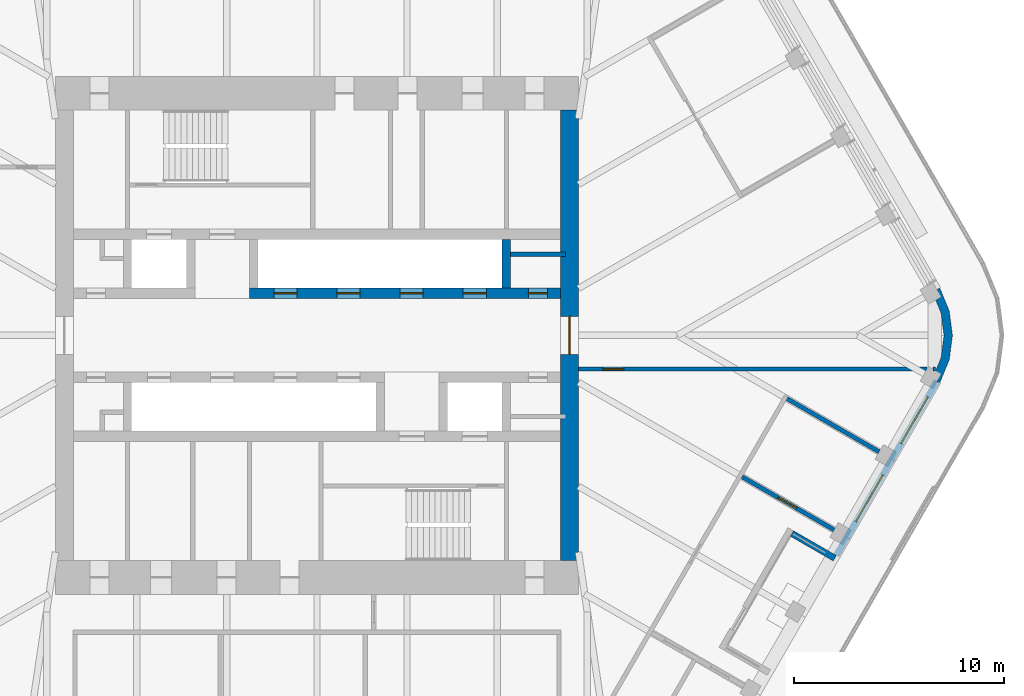
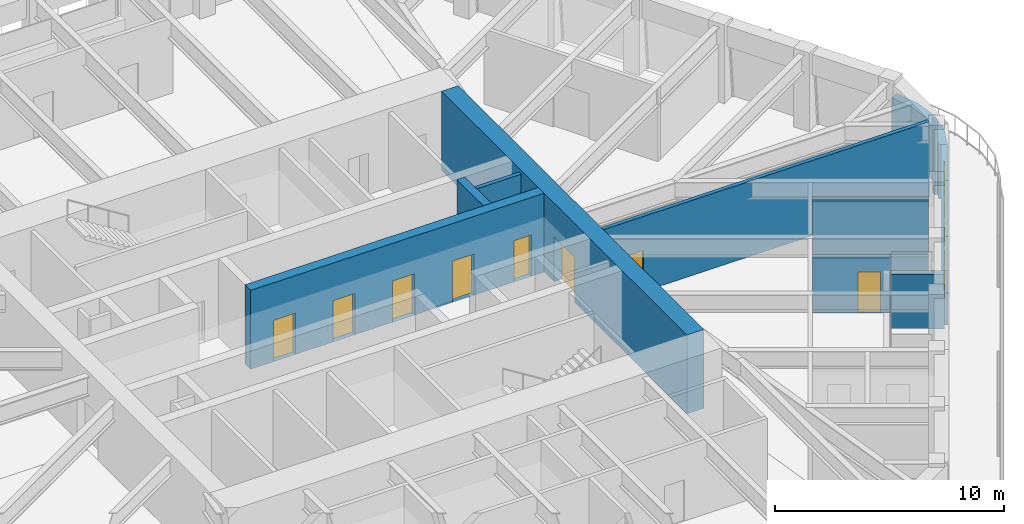
# One storey, part 15 of 20: 11 walls, 8 doors, 2 windows, 10 openings.
"""IFC4 building model written with IfcOpenShell, lengths in metres."""

from ifc_helpers import new_model, si_unit, direction, frame, frame_2d, origin, place, context, subcontext, project, spatial, polyline, rectangle, outline, extrude, material, layer, layer_set, type_object, element, fill, save


model = new_model("IFC4")

# Units and contexts
model_context = context("Model", 3, precision=1e-05, world=origin(), true_north=direction((0.0, 1.0)))
body_context = subcontext(model_context, "Body", "Model", "MODEL_VIEW")
ifc_project = project(units=[si_unit("LENGTHUNIT", "METRE"), si_unit("AREAUNIT", "SQUARE_METRE"), si_unit("VOLUMEUNIT", "CUBIC_METRE"), si_unit("PLANEANGLEUNIT", "RADIAN"), si_unit("MASSUNIT", "GRAM", prefix="KILO")], contexts=[model_context])

# Site, building, storey
site_placement = place(None, origin())
site = spatial("IfcSite", under=ifc_project, at=site_placement, CompositionType="ELEMENT")
building_placement = place(site_placement, origin())
building = spatial("IfcBuilding", under=site, at=building_placement, Name="Tarfa Lantern Tower", CompositionType="ELEMENT")
storey_placement = place(building_placement, frame((0.0, 0.0, 382.89990234375)))
storey = spatial("IfcBuildingStorey", under=building, at=storey_placement, Name="L87", CompositionType="ELEMENT", Elevation=382.89990234375)

# Wall, openings, windows
ifc_material_1 = material(Name="Limestone cladding on blockwork", Category="masonry")
ifc_layer_1 = layer(ifc_material_1, 0.300048828125)
ifc_layer_set_1 = layer_set([ifc_layer_1], Name="EW1 STONE-CLAD WALL 300")
wall_type_1 = type_object("IfcWallType", Name="EW1 STONE-CLAD WALL 300", PredefinedType="SOLIDWALL", material=ifc_layer_set_1)
wall_1_placement = place(storey_placement, frame((24.67724609375, -10.457763671875, 0.0), z_axis=(0.0, 0.0, 1.0), x_axis=(0.499996453679, 0.866027451244, 0.0)))
wall_1 = element("IfcWall", 1, at=wall_1_placement, inside=storey, type_object=wall_type_1, Name="Stone wall SEB", PredefinedType="SOLIDWALL", context=body_context, shape_type="SweptSolid", body=[
    extrude(rectangle(XDim=9.56396484375, YDim=0.300048828125, at=frame_2d((4.781982421875, 0.0))), origin(), (0.0, 0.0, 1.0), 2.900146484375),
])
opening_1_placement = place(wall_1_placement, frame((1.865966796875, 0.0, 0.60009765625)))
opening_1 = element("IfcOpeningElement", 2, at=opening_1_placement, cuts=wall_1, Name="Opening W17", PredefinedType="OPENING", context=body_context, shape_type="SweptSolid", body=[
    extrude(rectangle(XDim=2.550048828125, YDim=2.050048828125, at=frame_2d((1.27490234375, 1.02490234375))), frame((0.0, 0.159912109375, 0.0), z_axis=(0.0, -1.0, 0.0), x_axis=(1.0, 0.0, 0.0)), (0.0, 0.0, 1.0), 0.320068359375),
])
opening_2_placement = place(wall_1_placement, frame((6.14794921875, 0.0, 0.60009765625)))
opening_2 = element("IfcOpeningElement", 3, at=opening_2_placement, cuts=wall_1, Name="Opening W17", PredefinedType="OPENING", context=body_context, shape_type="SweptSolid", body=[
    extrude(rectangle(XDim=2.550048828125, YDim=2.050048828125, at=frame_2d((1.27490234375, 1.02490234375))), frame((0.0, 0.159912109375, 0.0), z_axis=(0.0, -1.0, 0.0), x_axis=(1.0, 0.0, 0.0)), (0.0, 0.0, 1.0), 0.320068359375),
])
ifc_material_2 = material(Name="Aluminium frame, double glazed", Category="aluminium")
window_type = type_object("IfcWindowType", Name="W17 FULL-HEIGHT GLAZING 2550x2050", PartitioningType="SINGLE_PANEL", PredefinedType="WINDOW", material=ifc_material_2)
window_1_placement = place(opening_1_placement, origin())
window_1 = element("IfcWindow", 4, at=window_1_placement, inside=storey, type_object=window_type, Name="Window SEB 1", OverallHeight=2.050048828125, OverallWidth=2.550048828125, PartitioningType="SINGLE_PANEL", PredefinedType="WINDOW", context=body_context, shape_type="SweptSolid", body=[
    extrude(rectangle(XDim=2.550048828125, YDim=2.050048828125, at=frame_2d((1.27490234375, 1.02490234375))), frame((0.0, 0.030029296875, 0.0), z_axis=(0.0, -1.0, 0.0), x_axis=(1.0, 0.0, 0.0)), (0.0, 0.0, 1.0), 0.06005859375),
])
fill(opening_1, window_1)
window_2_placement = place(opening_2_placement, origin())
window_2 = element("IfcWindow", 5, at=window_2_placement, inside=storey, type_object=window_type, Name="Window SEB 2", OverallHeight=2.050048828125, OverallWidth=2.550048828125, PartitioningType="SINGLE_PANEL", PredefinedType="WINDOW", context=body_context, shape_type="SweptSolid", body=[
    extrude(rectangle(XDim=2.550048828125, YDim=2.050048828125, at=frame_2d((1.27490234375, 1.02490234375))), frame((0.0, 0.030029296875, 0.0), z_axis=(0.0, -1.0, 0.0), x_axis=(1.0, 0.0, 0.0)), (0.0, 0.0, 1.0), 0.06005859375),
])
fill(opening_2, window_2)

# Walls
wall_2_placement = place(storey_placement, frame((24.602294921875, -10.587646484375, 0.0), z_axis=(0.0, 0.0, 1.0), x_axis=(-0.866016039709, 0.500016218704, 0.0)))
element("IfcWall", 6, at=wall_2_placement, inside=storey, type_object=wall_type_1, Name="Terrace return SE 2", PredefinedType="SOLIDWALL", context=body_context, shape_type="SweptSolid", body=[
    extrude(rectangle(XDim=2.35009765625, YDim=0.300048828125, at=frame_2d((1.175048828125, 0.0))), origin(), (0.0, 0.0, 1.0), 2.900146484375),
])
ifc_layer_2 = layer(ifc_material_1, 0.39990234375)
ifc_layer_set_2 = layer_set([ifc_layer_2], Name="EW2 CURVED STONE CORNER 400")
wall_type_2 = type_object("IfcWallType", Name="EW2 CURVED STONE CORNER 400", PredefinedType="SOLIDWALL", material=ifc_layer_set_2)
wall_3_placement = place(storey_placement, origin())
element("IfcWall", 7, at=wall_3_placement, inside=storey, type_object=wall_type_2, Name="Stone corner SE-NE", PredefinedType="SOLIDWALL", context=body_context, shape_type="SweptSolid", body=[
    extrude(outline(polyline([(29.589111328125, -2.25), (30.038818359375, -1.164794921875), (30.192138671875, 0.0), (30.038818359375, 1.164794921875), (29.589111328125, 2.25), (29.24267578125, 2.050048828125), (29.65234375, 1.061279296875), (29.7919921875, 0.0), (29.65234375, -1.061279296875), (29.24267578125, -2.050048828125), (29.589111328125, -2.25)])), origin(), (0.0, 0.0, 1.0), 2.900146484375),
])
ifc_material_3 = material(Name="Concrete blockwork", Category="masonry")
ifc_layer_3 = layer(ifc_material_3, 0.199951171875)
ifc_layer_set_3 = layer_set([ifc_layer_3], Name="IW1 BLOCKWORK PARTITION 200 EI 120")
wall_type_3 = type_object("IfcWallType", Name="IW1 BLOCKWORK PARTITION 200 EI 120", PredefinedType="PARTITIONING", material=ifc_layer_set_3)
wall_4_placement = place(storey_placement, frame((9.199951171875, 3.85009765625, 0.0), z_axis=(0.0, 0.0, 1.0), x_axis=(1.0, 0.0, 0.0)))
element("IfcWall", 8, at=wall_4_placement, inside=storey, type_object=wall_type_3, Name="Core partition", PredefinedType="PARTITIONING", context=body_context, shape_type="SweptSolid", body=[
    extrude(rectangle(XDim=2.60009765625, YDim=0.199951171875, at=frame_2d((1.300048828125, 0.0))), origin(), (0.0, 0.0, 1.0), 4.0),
])

# Wall, opening, door
ifc_material_4 = material(Name="Gypsum board on steel studs", Category="steel")
ifc_layer_4 = layer(ifc_material_4, 0.2099609375)
ifc_layer_set_4 = layer_set([ifc_layer_4], Name="IW2 ACOUSTIC PARTITION 200")
wall_type_4 = type_object("IfcWallType", Name="IW2 ACOUSTIC PARTITION 200", PredefinedType="PARTITIONING", material=ifc_layer_set_4)
wall_5_placement = place(storey_placement, frame((20.19775390625, -6.716552734375, 0.0), z_axis=(0.0, 0.0, 1.0), x_axis=(0.866006046928, -0.500033525561, 0.0)))
wall_5 = element("IfcWall", 9, at=wall_5_placement, inside=storey, type_object=wall_type_4, Name="Partition", PredefinedType="PARTITIONING", context=body_context, shape_type="SweptSolid", body=[
    extrude(rectangle(XDim=5.050048828125, YDim=0.199951171875, at=frame_2d((2.52490234375, 0.0))), origin(), (0.0, 0.0, 1.0), 2.991943359375),
])
opening_3_placement = place(wall_5_placement, frame((1.97509765625, 0.0, 0.0)))
opening_3 = element("IfcOpeningElement", 10, at=opening_3_placement, cuts=wall_5, Name="Opening D25", PredefinedType="OPENING", context=body_context, shape_type="SweptSolid", body=[
    extrude(rectangle(XDim=1.0, YDim=2.199951171875, at=frame_2d((0.5, 1.10009765625))), frame((0.0, 0.10986328125, 0.0), z_axis=(0.0, -1.0, 0.0), x_axis=(1.0, 0.0, 0.0)), (0.0, 0.0, 1.0), 0.219970703125),
])
ifc_material_5 = material(Name="Timber door", Category="wood")
door_type_1 = type_object("IfcDoorType", Name="DR1 ROOM DOOR 1000x2200", OperationType="SINGLE_SWING_LEFT", PredefinedType="DOOR", material=ifc_material_5)
door_1_placement = place(opening_3_placement, origin())
door_1 = element("IfcDoor", 11, at=door_1_placement, inside=storey, type_object=door_type_1, Name="Executive office door", OperationType="SINGLE_SWING_RIGHT", OverallHeight=2.199951171875, OverallWidth=1.0, PredefinedType="DOOR", context=body_context, shape_type="SweptSolid", body=[
    extrude(rectangle(XDim=1.0, YDim=2.199951171875, at=frame_2d((0.5, 1.10009765625))), frame((0.0, 0.02490234375, 0.0), z_axis=(0.0, -1.0, 0.0), x_axis=(1.0, 0.0, 0.0)), (0.0, 0.0, 1.0), 0.050048828125),
])
fill(opening_3, door_1)

# Wall
wall_6_placement = place(storey_placement, frame((22.338623046875, -3.00830078125, 0.0), z_axis=(0.0, 0.0, 1.0), x_axis=(0.866018134068, -0.500012591307, 0.0)))
element("IfcWall", 12, at=wall_6_placement, inside=storey, type_object=wall_type_4, Name="Partition", PredefinedType="PARTITIONING", context=body_context, shape_type="SweptSolid", body=[
    extrude(rectangle(XDim=5.050048828125, YDim=0.199951171875, at=frame_2d((2.52490234375, 0.0))), origin(), (0.0, 0.0, 1.0), 3.081787109375),
])

# Wall, opening, door
wall_7_placement = place(storey_placement, frame((12.425048828125, -1.60009765625, 0.0), z_axis=(0.0, 0.0, 1.0), x_axis=(1.0, 0.0, 0.0)))
wall_7 = element("IfcWall", 13, at=wall_7_placement, inside=storey, type_object=wall_type_4, Name="Partition", PredefinedType="PARTITIONING", context=body_context, shape_type="SweptSolid", body=[
    extrude(rectangle(XDim=16.557861328125, YDim=0.199951171875, at=frame_2d((8.27880859375, 0.0))), origin(), (0.0, 0.0, 1.0), 4.0),
])
opening_4_placement = place(wall_7_placement, frame((1.15576171875, 0.0, 0.0)))
opening_4 = element("IfcOpeningElement", 14, at=opening_4_placement, cuts=wall_7, Name="Opening D36", PredefinedType="OPENING", context=body_context, shape_type="SweptSolid", body=[
    extrude(rectangle(XDim=1.0, YDim=2.199951171875, at=frame_2d((0.5, 1.10009765625))), frame((0.0, 0.10986328125, 0.0), z_axis=(0.0, -1.0, 0.0), x_axis=(1.0, 0.0, 0.0)), (0.0, 0.0, 1.0), 0.219970703125),
])
door_2_placement = place(opening_4_placement, frame((1.0, 0.0, 0.0), z_axis=(0.0, 0.0, 1.0), x_axis=(-1.0, 0.0, 0.0)))
door_2 = element("IfcDoor", 15, at=door_2_placement, inside=storey, type_object=door_type_1, Name="Zone door", OperationType="SINGLE_SWING_LEFT", OverallHeight=2.199951171875, OverallWidth=1.0, PredefinedType="DOOR", context=body_context, shape_type="SweptSolid", body=[
    extrude(rectangle(XDim=1.0, YDim=2.199951171875, at=frame_2d((0.5, 1.10009765625))), frame((0.0, 0.02490234375, 0.0), z_axis=(0.0, -1.0, 0.0), x_axis=(1.0, 0.0, 0.0)), (0.0, 0.0, 1.0), 0.050048828125),
])
fill(opening_4, door_2)

# Wall
wall_8_placement = place(storey_placement, frame((29.263427734375, -1.60009765625, 0.0), z_axis=(0.0, 0.0, 1.0), x_axis=(1.0, 0.0, 0.0)))
element("IfcWall", 16, at=wall_8_placement, inside=storey, type_object=wall_type_4, Name="Partition", PredefinedType="PARTITIONING", context=body_context, shape_type="SweptSolid", body=[
    extrude(rectangle(XDim=0.12451171875, YDim=0.199951171875, at=frame_2d((0.062255859375, 0.0))), origin(), (0.0, 0.0, 1.0), 4.0),
])

# Wall, opening, door
ifc_material_6 = material(Name="Concrete C80/95", Category="concrete")
ifc_layer_5 = layer(ifc_material_6, 0.85009765625)
ifc_layer_set_5 = layer_set([ifc_layer_5], Name="SW3 CORE WALL 850")
wall_type_5 = type_object("IfcWallType", Name="SW3 CORE WALL 850", PredefinedType="SHEAR", material=ifc_layer_set_5)
wall_9_placement = place(storey_placement, frame((12.0, -10.699951171875, 0.0), z_axis=(0.0, 0.0, 1.0), x_axis=(0.0, 1.0, 0.0)))
wall_9 = element("IfcWall", 17, at=wall_9_placement, inside=storey, type_object=wall_type_5, Name="Core wall E", PredefinedType="SHEAR", context=body_context, shape_type="SweptSolid", body=[
    extrude(rectangle(XDim=21.39990234375, YDim=0.85009765625, at=frame_2d((10.699951171875, 0.0))), origin(), (0.0, 0.0, 1.0), 4.2001953125),
])
opening_5_placement = place(wall_9_placement, frame((9.800048828125, 0.0, 0.0)))
opening_5 = element("IfcOpeningElement", 18, at=opening_5_placement, cuts=wall_9, Name="Opening D07", PredefinedType="OPENING", context=body_context, shape_type="SweptSolid", body=[
    extrude(rectangle(XDim=1.800048828125, YDim=2.39990234375, at=frame_2d((0.89990234375, 1.199951171875))), frame((0.0, 0.43505859375, 0.0), z_axis=(0.0, -1.0, 0.0), x_axis=(1.0, 0.0, 0.0)), (0.0, 0.0, 1.0), 0.8701171875),
])
ifc_material_7 = material(Name="Steel fire door", Category="steel")
door_type_2 = type_object("IfcDoorType", Name="DL1 LOBBY DOOR 1800x2400", OperationType="DOUBLE_DOOR_SINGLE_SWING", PredefinedType="DOOR", material=ifc_material_7)
door_3_placement = place(opening_5_placement, frame((1.800048828125, 0.0, 0.0), z_axis=(0.0, 0.0, 1.0), x_axis=(-1.0, 0.0, 0.0)))
door_3 = element("IfcDoor", 19, at=door_3_placement, inside=storey, type_object=door_type_2, Name="Lift lobby door", OperationType="DOUBLE_DOOR_SINGLE_SWING", OverallHeight=2.39990234375, OverallWidth=1.800048828125, PredefinedType="DOOR", context=body_context, shape_type="SweptSolid", body=[
    extrude(rectangle(XDim=1.800048828125, YDim=2.39990234375, at=frame_2d((0.89990234375, 1.199951171875))), frame((0.0, 0.02490234375, 0.0), z_axis=(0.0, -1.0, 0.0), x_axis=(1.0, 0.0, 0.0)), (0.0, 0.0, 1.0), 0.050048828125),
])
fill(opening_5, door_3)

# Wall, openings, doors
ifc_layer_6 = layer(ifc_material_6, 0.5)
ifc_layer_set_6 = layer_set([ifc_layer_6], Name="SW5 CORE WALL 500")
wall_type_6 = type_object("IfcWallType", Name="SW5 CORE WALL 500", PredefinedType="SHEAR", material=ifc_layer_set_6)
wall_10_placement = place(storey_placement, frame((-3.199951171875, 2.0, 0.0), z_axis=(0.0, 0.0, 1.0), x_axis=(1.0, 0.0, 0.0)))
wall_10 = element("IfcWall", 20, at=wall_10_placement, inside=storey, type_object=wall_type_6, Name="Core wall lobby east N", PredefinedType="SHEAR", context=body_context, shape_type="SweptSolid", body=[
    extrude(rectangle(XDim=14.77490234375, YDim=0.5, at=frame_2d((7.387451171875, 0.0))), origin(), (0.0, 0.0, 1.0), 4.2001953125),
])
opening_6_placement = place(wall_10_placement, frame((13.25, 0.0, 0.0)))
opening_6 = element("IfcOpeningElement", 21, at=opening_6_placement, cuts=wall_10, Name="Opening D09", PredefinedType="OPENING", context=body_context, shape_type="SweptSolid", body=[
    extrude(rectangle(XDim=0.89990234375, YDim=2.199951171875, at=frame_2d((0.449951171875, 1.10009765625))), frame((0.0, 0.260009765625, 0.0), z_axis=(0.0, -1.0, 0.0), x_axis=(1.0, 0.0, 0.0)), (0.0, 0.0, 1.0), 0.52001953125),
])
opening_7_placement = place(wall_10_placement, frame((1.14990234375, 0.0, 0.0)))
opening_7 = element("IfcOpeningElement", 22, at=opening_7_placement, cuts=wall_10, Name="Opening LD03", PredefinedType="OPENING", context=body_context, shape_type="SweptSolid", body=[
    extrude(rectangle(XDim=1.10009765625, YDim=2.199951171875, at=frame_2d((0.550048828125, 1.10009765625))), frame((0.0, 0.260009765625, 0.0), z_axis=(0.0, -1.0, 0.0), x_axis=(1.0, 0.0, 0.0)), (0.0, 0.0, 1.0), 0.52001953125),
])
opening_8_placement = place(wall_10_placement, frame((4.14990234375, 0.0, 0.0)))
opening_8 = element("IfcOpeningElement", 23, at=opening_8_placement, cuts=wall_10, Name="Opening LD04", PredefinedType="OPENING", context=body_context, shape_type="SweptSolid", body=[
    extrude(rectangle(XDim=1.10009765625, YDim=2.199951171875, at=frame_2d((0.550048828125, 1.10009765625))), frame((0.0, 0.260009765625, 0.0), z_axis=(0.0, -1.0, 0.0), x_axis=(1.0, 0.0, 0.0)), (0.0, 0.0, 1.0), 0.52001953125),
])
opening_9_placement = place(wall_10_placement, frame((7.14990234375, 0.0, 0.0)))
opening_9 = element("IfcOpeningElement", 24, at=opening_9_placement, cuts=wall_10, Name="Opening LD05", PredefinedType="OPENING", context=body_context, shape_type="SweptSolid", body=[
    extrude(rectangle(XDim=1.10009765625, YDim=2.199951171875, at=frame_2d((0.550048828125, 1.10009765625))), frame((0.0, 0.260009765625, 0.0), z_axis=(0.0, -1.0, 0.0), x_axis=(1.0, 0.0, 0.0)), (0.0, 0.0, 1.0), 0.52001953125),
])
opening_10_placement = place(wall_10_placement, frame((10.14990234375, 0.0, 0.0)))
opening_10 = element("IfcOpeningElement", 25, at=opening_10_placement, cuts=wall_10, Name="Opening LD06", PredefinedType="OPENING", context=body_context, shape_type="SweptSolid", body=[
    extrude(rectangle(XDim=1.10009765625, YDim=2.199951171875, at=frame_2d((0.550048828125, 1.10009765625))), frame((0.0, 0.260009765625, 0.0), z_axis=(0.0, -1.0, 0.0), x_axis=(1.0, 0.0, 0.0)), (0.0, 0.0, 1.0), 0.52001953125),
])
door_type_3 = type_object("IfcDoorType", Name="DF6 SERVICE ROOM DOOR 900x2200", OperationType="SINGLE_SWING_LEFT", PredefinedType="DOOR", material=ifc_material_7)
door_4_placement = place(opening_6_placement, origin())
door_4 = element("IfcDoor", 26, at=door_4_placement, inside=storey, type_object=door_type_3, Name="Service room door", OperationType="SINGLE_SWING_LEFT", OverallHeight=2.199951171875, OverallWidth=0.89990234375, PredefinedType="DOOR", context=body_context, shape_type="SweptSolid", body=[
    extrude(rectangle(XDim=0.89990234375, YDim=2.199951171875, at=frame_2d((0.449951171875, 1.10009765625))), frame((0.0, 0.02490234375, 0.0), z_axis=(0.0, -1.0, 0.0), x_axis=(1.0, 0.0, 0.0)), (0.0, 0.0, 1.0), 0.050048828125),
])
fill(opening_6, door_4)
ifc_material_8 = material(Name="Stainless steel lift door", Category="steel")
door_type_4 = type_object("IfcDoorType", Name="LD2 LIFT LANDING DOOR 1100x2200", OperationType="SLIDING_TO_LEFT", PredefinedType="DOOR", material=ifc_material_8)
door_5_placement = place(opening_7_placement, frame((1.10009765625, 0.0, 0.0), z_axis=(0.0, 0.0, 1.0), x_axis=(-1.0, 0.0, 0.0)))
door_5 = element("IfcDoor", 27, at=door_5_placement, inside=storey, type_object=door_type_4, Name="Landing door PD1", OperationType="SLIDING_TO_LEFT", OverallHeight=2.199951171875, OverallWidth=1.10009765625, PredefinedType="DOOR", context=body_context, shape_type="SweptSolid", body=[
    extrude(rectangle(XDim=1.10009765625, YDim=2.199951171875, at=frame_2d((0.550048828125, 1.10009765625))), frame((0.0, 0.02490234375, 0.0), z_axis=(0.0, -1.0, 0.0), x_axis=(1.0, 0.0, 0.0)), (0.0, 0.0, 1.0), 0.050048828125),
])
fill(opening_7, door_5)
door_6_placement = place(opening_8_placement, frame((1.10009765625, 0.0, 0.0), z_axis=(0.0, 0.0, 1.0), x_axis=(-1.0, 0.0, 0.0)))
door_6 = element("IfcDoor", 28, at=door_6_placement, inside=storey, type_object=door_type_4, Name="Landing door PD2", OperationType="SLIDING_TO_LEFT", OverallHeight=2.199951171875, OverallWidth=1.10009765625, PredefinedType="DOOR", context=body_context, shape_type="SweptSolid", body=[
    extrude(rectangle(XDim=1.10009765625, YDim=2.199951171875, at=frame_2d((0.550048828125, 1.10009765625))), frame((0.0, 0.02490234375, 0.0), z_axis=(0.0, -1.0, 0.0), x_axis=(1.0, 0.0, 0.0)), (0.0, 0.0, 1.0), 0.050048828125),
])
fill(opening_8, door_6)
door_7_placement = place(opening_9_placement, frame((1.10009765625, 0.0, 0.0), z_axis=(0.0, 0.0, 1.0), x_axis=(-1.0, 0.0, 0.0)))
door_7 = element("IfcDoor", 29, at=door_7_placement, inside=storey, type_object=door_type_4, Name="Landing door PD3", OperationType="SLIDING_TO_LEFT", OverallHeight=2.199951171875, OverallWidth=1.10009765625, PredefinedType="DOOR", context=body_context, shape_type="SweptSolid", body=[
    extrude(rectangle(XDim=1.10009765625, YDim=2.199951171875, at=frame_2d((0.550048828125, 1.10009765625))), frame((0.0, 0.02490234375, 0.0), z_axis=(0.0, -1.0, 0.0), x_axis=(1.0, 0.0, 0.0)), (0.0, 0.0, 1.0), 0.050048828125),
])
fill(opening_9, door_7)
door_8_placement = place(opening_10_placement, frame((1.10009765625, 0.0, 0.0), z_axis=(0.0, 0.0, 1.0), x_axis=(-1.0, 0.0, 0.0)))
door_8 = element("IfcDoor", 30, at=door_8_placement, inside=storey, type_object=door_type_4, Name="Landing door PD4", OperationType="SLIDING_TO_LEFT", OverallHeight=2.199951171875, OverallWidth=1.10009765625, PredefinedType="DOOR", context=body_context, shape_type="SweptSolid", body=[
    extrude(rectangle(XDim=1.10009765625, YDim=2.199951171875, at=frame_2d((0.550048828125, 1.10009765625))), frame((0.0, 0.02490234375, 0.0), z_axis=(0.0, -1.0, 0.0), x_axis=(1.0, 0.0, 0.0)), (0.0, 0.0, 1.0), 0.050048828125),
])
fill(opening_10, door_8)

# Wall
ifc_layer_7 = layer(ifc_material_6, 0.39990234375)
ifc_layer_set_7 = layer_set([ifc_layer_7], Name="SW6 CORE WALL 400")
wall_type_7 = type_object("IfcWallType", Name="SW6 CORE WALL 400", PredefinedType="SHEAR", material=ifc_layer_set_7)
wall_11_placement = place(storey_placement, frame((9.0, 2.25, 0.0), z_axis=(0.0, 0.0, 1.0), x_axis=(0.0, 1.0, 0.0)))
element("IfcWall", 31, at=wall_11_placement, inside=storey, type_object=wall_type_7, Name="Core wall divider N", PredefinedType="SHEAR", context=body_context, shape_type="SweptSolid", body=[
    extrude(rectangle(XDim=2.300048828125, YDim=0.39990234375, at=frame_2d((1.14990234375, 0.0))), origin(), (0.0, 0.0, 1.0), 4.2001953125),
])

save(model, "model.ifc")
